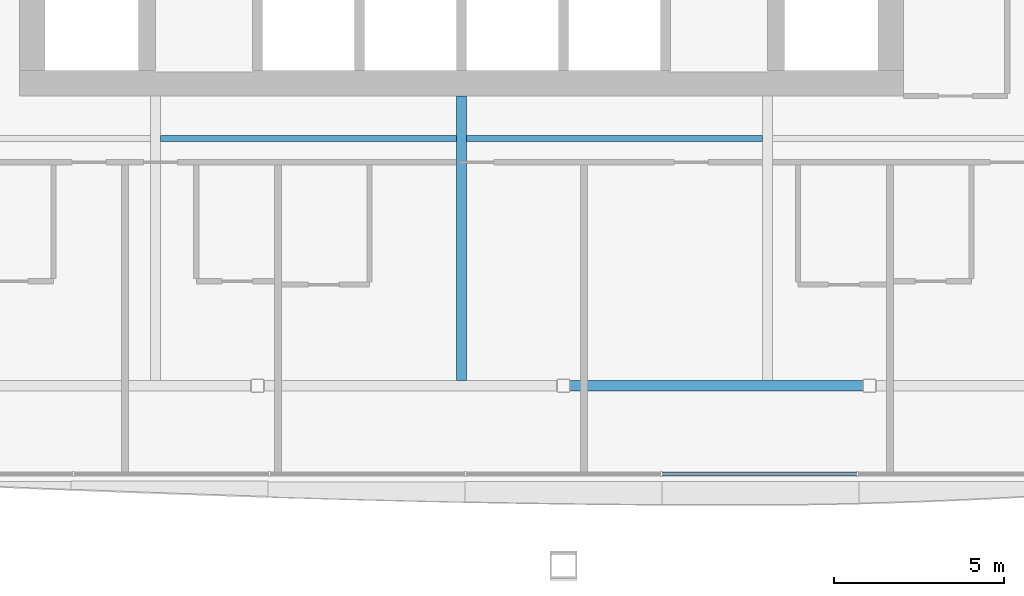
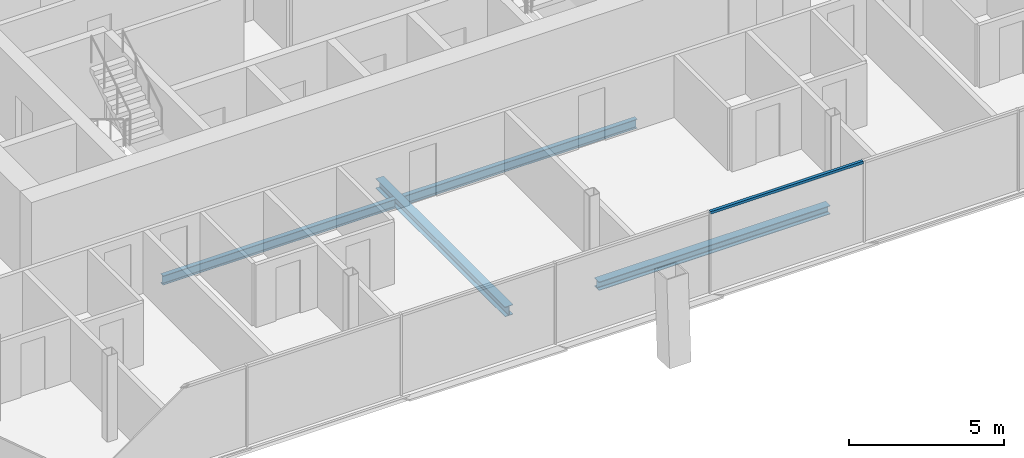
# One storey, part 4 of 21: 4 beams, 1 member, 1 element without a shape of its own.
"""IFC4 building model written with IfcOpenShell, lengths in metres."""

from ifc_helpers import new_model, si_unit, direction, frame, origin, origin_2d, place, context, subcontext, project, spatial, rectangle, i_section, extrude, material, material_profile, profile_set, type_object, element, aggregate, save


model = new_model("IFC4")

# Units and contexts
model_context = context("Model", 3, precision=1e-05, world=origin(), true_north=direction((0.0, 1.0)))
body_context = subcontext(model_context, "Body", "Model", "MODEL_VIEW")
ifc_project = project(units=[si_unit("LENGTHUNIT", "METRE"), si_unit("AREAUNIT", "SQUARE_METRE"), si_unit("VOLUMEUNIT", "CUBIC_METRE"), si_unit("PLANEANGLEUNIT", "RADIAN"), si_unit("MASSUNIT", "GRAM", prefix="KILO")], contexts=[model_context])

# Site, building, storey
site_placement = place(None, origin())
site = spatial("IfcSite", under=ifc_project, at=site_placement, CompositionType="ELEMENT")
building_placement = place(site_placement, origin())
building = spatial("IfcBuilding", under=site, at=building_placement, Name="Tskaro Facet Tower", CompositionType="ELEMENT")
storey_placement = place(building_placement, frame((0.0, 0.0, 128.300048828125)))
storey = spatial("IfcBuildingStorey", under=building, at=storey_placement, Name="L30", CompositionType="ELEMENT", Elevation=128.300048828125)

# Curtain wall, member
ifc_material_1 = material(Name="Bronze anodised aluminium 6063-T6", Category="aluminium")
curtain_wall_type = type_object("IfcCurtainWallType", Name="Bronze hotel curtain wall (FW2)", PredefinedType="NOTDEFINED", material=ifc_material_1)
curtain_wall_placement = place(storey_placement, origin())
curtain_wall = element("IfcCurtainWall", 1, at=curtain_wall_placement, inside=storey, type_object=curtain_wall_type, Name="FW2 south facet L30", PredefinedType="NOTDEFINED")
ifc_material_profile_1 = material_profile(ifc_material_1, rectangle(XDim=0.110107421875, YDim=0.10009765625, at=origin_2d()), Name="Transom 110x100")
ifc_profile_set_1 = profile_set([ifc_material_profile_1], Name="Bronze anodised aluminium 6063-T6")
member_type = type_object("IfcMemberType", Name="FW2 bronze transom 110x100", PredefinedType="USERDEFINED", material=ifc_profile_set_1)
member_placement = place(storey_placement, frame((5.910888671875, -23.366943359375, 3.14990234375), z_axis=(1.0, 0.0, 0.0), x_axis=(0.0, 1.0, 0.0)))
member = element("IfcMember", 2, at=member_placement, type_object=member_type, Name="FW2 south transom 5.1", ObjectType="TRANSOM", PredefinedType="USERDEFINED", context=body_context, shape_type="SweptSolid", body=[
    extrude(rectangle(XDim=0.110107421875, YDim=0.10009765625, at=origin_2d()), origin(), (0.0, 0.0, 1.0), 5.70166015625),
])
aggregate(curtain_wall, [member])

# Beams
ifc_material_2 = material(Name="Steel S355J2", Category="steel")
ifc_material_profile_2 = material_profile(ifc_material_2, i_section(OverallWidth=0.300048828125, OverallDepth=0.340087890625, WebThickness=0.011962890625, FlangeThickness=0.021484375, FilletRadius=0.027099609375, at=origin_2d()), Name="HE 340 B")
ifc_profile_set_2 = profile_set([ifc_material_profile_2], Name="Steel S355J2")
beam_type_1 = type_object("IfcBeamType", Name="HE 340 B ring beam", PredefinedType="BEAM", material=ifc_profile_set_2)
beam_1_placement = place(storey_placement, frame((3.179931640625, -20.77392578125, -0.31005859375), z_axis=(1.0, 0.0, 0.0), x_axis=(0.0, 1.0, 0.0)))
element("IfcBeam", 3, at=beam_1_placement, inside=storey, type_object=beam_type_1, Name="HE 340 B EB3-3", PredefinedType="BEAM", context=body_context, shape_type="SweptSolid", body=[
    extrude(i_section(OverallWidth=0.300048828125, OverallDepth=0.340087890625, WebThickness=0.011962890625, FlangeThickness=0.021484375, FilletRadius=0.027099609375, at=origin_2d()), origin(), (0.0, 0.0, 1.0), 8.64013671875),
])
ifc_material_profile_3 = material_profile(ifc_material_2, i_section(OverallWidth=0.300048828125, OverallDepth=0.389892578125, WebThickness=0.010986328125, FlangeThickness=0.01904296875, FilletRadius=0.027099609375, at=origin_2d()), Name="HE 400 A")
ifc_profile_set_3 = profile_set([ifc_material_profile_3], Name="Steel S355J2")
beam_type_2 = type_object("IfcBeamType", Name="HE 400 A girder", PredefinedType="BEAM", material=ifc_profile_set_3)
beam_2_placement = place(storey_placement, frame((0.0, -20.6240234375, -0.3349609375), z_axis=(0.0, 1.0, 0.0), x_axis=(-1.0, 0.0, 0.0)))
element("IfcBeam", 4, at=beam_2_placement, inside=storey, type_object=beam_type_2, Name="HE 400 A GB4-1-3", PredefinedType="BEAM", context=body_context, shape_type="SweptSolid", body=[
    extrude(i_section(OverallWidth=0.300048828125, OverallDepth=0.389892578125, WebThickness=0.010986328125, FlangeThickness=0.01904296875, FilletRadius=0.027099609375, at=origin_2d()), origin(), (0.0, 0.0, 1.0), 8.3740234375),
])
ifc_material_profile_4 = material_profile(ifc_material_2, i_section(OverallWidth=0.169921875, OverallDepth=0.360107421875, WebThickness=0.008056640625, FlangeThickness=0.0126953125, FilletRadius=0.01806640625, at=origin_2d()), Name="IPE 360")
ifc_profile_set_4 = profile_set([ifc_material_profile_4], Name="Steel S355J2")
beam_type_3 = type_object("IfcBeamType", Name="IPE 360 secondary beam", PredefinedType="BEAM", material=ifc_profile_set_4)
for number, where, z_axis, x_axis, name in (
    (5, (-8.85009765625, -13.5, -0.320068359375), (1.0, 0.0, 0.0), (0.0, 1.0, 0.0), "IPE 360 SB2a-2-3"),
    (6, (0.14990234375, -13.5, -0.320068359375), (1.0, 0.0, 0.0), (0.0, 1.0, 0.0), "IPE 360 SB2a-3-3"),
):
    element("IfcBeam", number, at=place(storey_placement, frame(where, z_axis=z_axis, x_axis=x_axis)), inside=storey, type_object=beam_type_3, Name=name, PredefinedType="BEAM", context=body_context, shape_type="SweptSolid", body=[
        extrude(i_section(OverallWidth=0.169921875, OverallDepth=0.360107421875, WebThickness=0.008056640625, FlangeThickness=0.0126953125, FilletRadius=0.01806640625, at=origin_2d()), origin(), (0.0, 0.0, 1.0), 8.7001953125),
    ])

save(model, "model.ifc")
